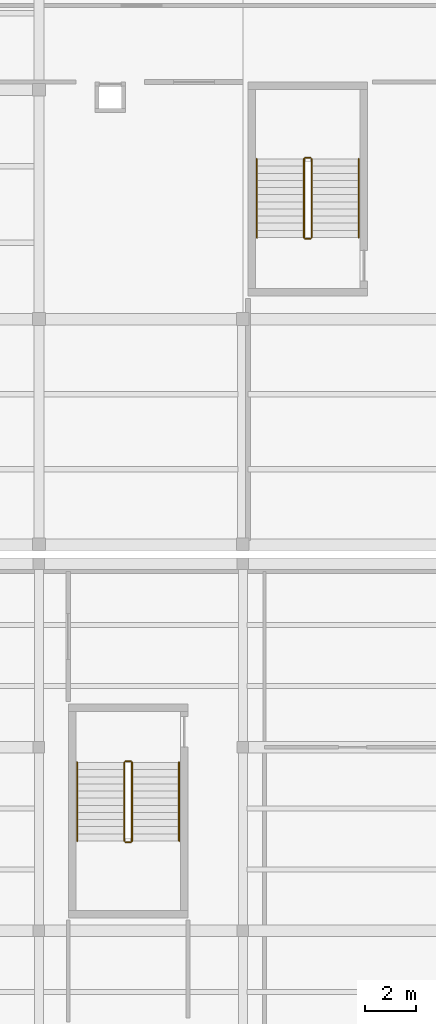
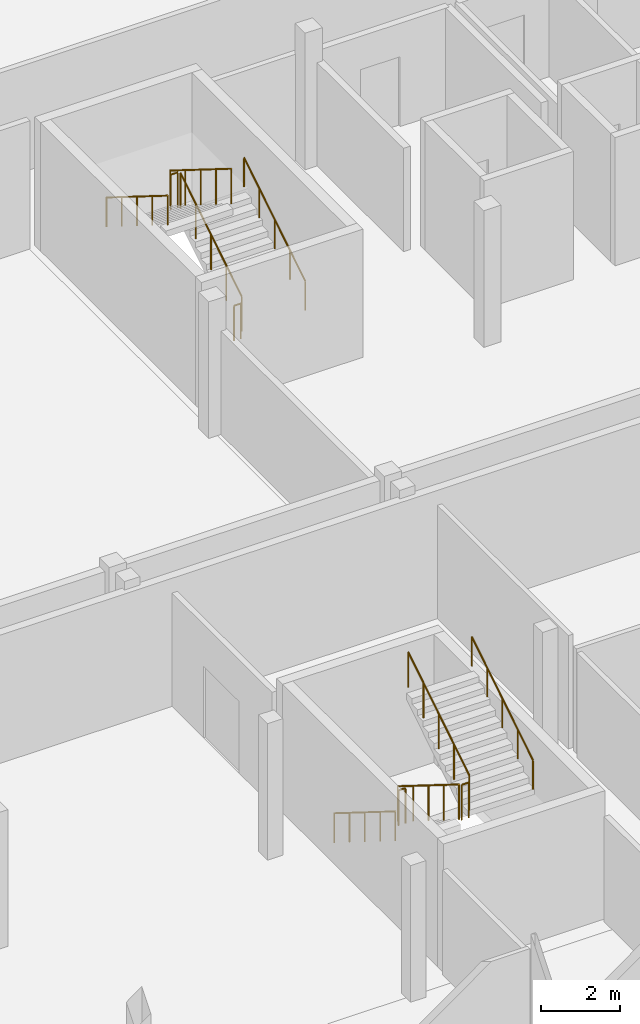
# One storey, part 180 of 182: 12 railings.
"""IFC4 building model written with IfcOpenShell, lengths in metres."""

from ifc_helpers import new_model, si_unit, direction, frame, origin, origin_2d, place, context, subcontext, project, spatial, circle, extrude, material, layer, layer_set, type_object, element, save


model = new_model("IFC4")

# Units and contexts
model_context = context("Model", 3, precision=1e-05, world=origin(), true_north=direction((0.0, 1.0)))
body_context = subcontext(model_context, "Body", "Model", "MODEL_VIEW")
ifc_project = project(units=[si_unit("LENGTHUNIT", "METRE"), si_unit("AREAUNIT", "SQUARE_METRE"), si_unit("VOLUMEUNIT", "CUBIC_METRE"), si_unit("PLANEANGLEUNIT", "RADIAN"), si_unit("MASSUNIT", "GRAM", prefix="KILO")], contexts=[model_context])

# Site, building, storey
site_placement = place(None, origin())
site = spatial("IfcSite", under=ifc_project, at=site_placement, CompositionType="ELEMENT")
building_placement = place(site_placement, origin())
building = spatial("IfcBuilding", under=site, at=building_placement, Name="Chiffa Square Polytechnic", CompositionType="ELEMENT")
storey_placement = place(building_placement, frame((0.0, 0.0, 9.60009765625)))
storey = spatial("IfcBuildingStorey", under=building, at=storey_placement, Name="L02", CompositionType="ELEMENT", Elevation=9.60009765625)

# Railings
ifc_material = material(Name="Steel S355", Category="steel")
ifc_layer_1 = layer(ifc_material, 0.050048828125, Name="Steel S355")
ifc_layer_set_1 = layer_set([ifc_layer_1], Name="Steel S355")
railing_type_1 = type_object("IfcRailingType", Name="RL-STAIR-GUARD", PredefinedType="GUARDRAIL", material=ifc_layer_set_1)
railing_1_placement = place(storey_placement, frame((26.699951171875, 107.0, 0.1748046875)))
element("IfcRailing", 1, at=railing_1_placement, inside=storey, type_object=railing_type_1, Name="L02 ST-V5A stair guard 1", PredefinedType="GUARDRAIL", context=body_context, shape_type="SweptSolid", body=[
    extrude(circle(Radius=0.02392578125, at=origin_2d()), frame((0.0, 0.0, 1.076171875), z_axis=(0.0, 0.847998304005, 0.529998940003), x_axis=(-1.0, 0.0, 0.0)), (0.0, 0.0, 1.0), 3.632080078125),
    extrude(circle(Radius=0.02099609375, at=origin_2d()), origin(), (0.0, 0.0, 1.0), 1.052001953125),
    extrude(circle(Radius=0.02099609375, at=origin_2d()), frame((0.0, 0.77001953125, 0.481201171875)), (0.0, 0.0, 1.0), 1.052001953125),
    extrude(circle(Radius=0.02099609375, at=origin_2d()), frame((0.0, 1.5400390625, 0.96240234375)), (0.0, 0.0, 1.0), 1.052001953125),
    extrude(circle(Radius=0.02099609375, at=origin_2d()), frame((0.0, 2.31005859375, 1.44384765625)), (0.0, 0.0, 1.0), 1.052001953125),
    extrude(circle(Radius=0.02099609375, at=origin_2d()), frame((0.0, 3.080078125, 1.925048828125)), (0.0, 0.0, 1.0), 1.052001953125),
])
railing_2_placement = place(storey_placement, frame((26.64990234375, 110.1298828125, 2.099853515625)))
element("IfcRailing", 2, at=railing_2_placement, inside=storey, type_object=railing_type_1, Name="L02 ST-V5A stair guard 2", PredefinedType="GUARDRAIL", context=body_context, shape_type="SweptSolid", body=[
    extrude(circle(Radius=0.02392578125, at=origin_2d()), frame((0.0, 0.0, 1.076171875), z_axis=(-1.0, 0.0, 0.0), x_axis=(0.0, -1.0, 0.0)), (0.0, 0.0, 1.0), 0.199951171875),
    extrude(circle(Radius=0.02099609375, at=origin_2d()), origin(), (0.0, 0.0, 1.0), 1.052001953125),
    extrude(circle(Radius=0.02099609375, at=origin_2d()), frame((-0.199951171875, 0.0, 0.0)), (0.0, 0.0, 1.0), 1.052001953125),
])
railing_3_placement = place(storey_placement, frame((26.39990234375, 110.080078125, 2.27490234375)))
element("IfcRailing", 3, at=railing_3_placement, inside=storey, type_object=railing_type_1, Name="L02 ST-V5A stair guard 3", PredefinedType="GUARDRAIL", context=body_context, shape_type="SweptSolid", body=[
    extrude(circle(Radius=0.02392578125, at=origin_2d()), frame((0.0, 0.0, 1.076171875), z_axis=(0.0, -0.847998304005, 0.529998940003), x_axis=(1.0, 0.0, 0.0)), (0.0, 0.0, 1.0), 3.632080078125),
    extrude(circle(Radius=0.02099609375, at=origin_2d()), origin(), (0.0, 0.0, 1.0), 1.052001953125),
    extrude(circle(Radius=0.02099609375, at=origin_2d()), frame((0.0, -0.77001953125, 0.481201171875)), (0.0, 0.0, 1.0), 1.052001953125),
    extrude(circle(Radius=0.02099609375, at=origin_2d()), frame((0.0, -1.5400390625, 0.96240234375)), (0.0, 0.0, 1.0), 1.052001953125),
    extrude(circle(Radius=0.02099609375, at=origin_2d()), frame((0.0, -2.31005859375, 1.44384765625)), (0.0, 0.0, 1.0), 1.052001953125),
    extrude(circle(Radius=0.02099609375, at=origin_2d()), frame((0.0, -3.080078125, 1.925048828125)), (0.0, 0.0, 1.0), 1.052001953125),
])
railing_4_placement = place(storey_placement, frame((26.64990234375, 106.949951171875, 0.0)))
element("IfcRailing", 4, at=railing_4_placement, inside=storey, type_object=railing_type_1, Name="L02 ST-V5A stair guard 4", PredefinedType="GUARDRAIL", context=body_context, shape_type="SweptSolid", body=[
    extrude(circle(Radius=0.02392578125, at=origin_2d()), frame((0.0, 0.0, 1.076171875), z_axis=(-1.0, 0.0, 0.0), x_axis=(0.0, -1.0, 0.0)), (0.0, 0.0, 1.0), 0.199951171875),
    extrude(circle(Radius=0.02099609375, at=origin_2d()), origin(), (0.0, 0.0, 1.0), 1.052001953125),
    extrude(circle(Radius=0.02099609375, at=origin_2d()), frame((-0.199951171875, 0.0, 0.0)), (0.0, 0.0, 1.0), 1.052001953125),
])
railing_5_placement = place(storey_placement, frame((19.35009765625, 86.39990234375, 0.1748046875)))
element("IfcRailing", 5, at=railing_5_placement, inside=storey, type_object=railing_type_1, Name="L02 ST-V6B stair guard 1", PredefinedType="GUARDRAIL", context=body_context, shape_type="SweptSolid", body=[
    extrude(circle(Radius=0.02392578125, at=origin_2d()), frame((0.0, 0.0, 1.076171875), z_axis=(0.0, -0.847979421464, 0.530029150871), x_axis=(1.0, 0.0, 0.0)), (0.0, 0.0, 1.0), 3.632080078125),
    extrude(circle(Radius=0.02099609375, at=origin_2d()), origin(), (0.0, 0.0, 1.0), 1.052001953125),
    extrude(circle(Radius=0.02099609375, at=origin_2d()), frame((0.0, -0.77001953125, 0.481201171875)), (0.0, 0.0, 1.0), 1.052001953125),
    extrude(circle(Radius=0.02099609375, at=origin_2d()), frame((0.0, -1.5400390625, 0.96240234375)), (0.0, 0.0, 1.0), 1.052001953125),
    extrude(circle(Radius=0.02099609375, at=origin_2d()), frame((0.0, -2.309814453125, 1.44384765625)), (0.0, 0.0, 1.0), 1.052001953125),
    extrude(circle(Radius=0.02099609375, at=origin_2d()), frame((0.0, -3.079833984375, 1.925048828125)), (0.0, 0.0, 1.0), 1.052001953125),
])
railing_6_placement = place(storey_placement, frame((19.39990234375, 83.27001953125, 2.099853515625)))
element("IfcRailing", 6, at=railing_6_placement, inside=storey, type_object=railing_type_1, Name="L02 ST-V6B stair guard 2", PredefinedType="GUARDRAIL", context=body_context, shape_type="SweptSolid", body=[
    extrude(circle(Radius=0.02392578125, at=origin_2d()), frame((0.0, 0.0, 1.076171875), z_axis=(1.0, 0.0, 0.0), x_axis=(0.0, 1.0, 0.0)), (0.0, 0.0, 1.0), 0.2001953125),
    extrude(circle(Radius=0.02099609375, at=origin_2d()), origin(), (0.0, 0.0, 1.0), 1.052001953125),
    extrude(circle(Radius=0.02099609375, at=origin_2d()), frame((0.2001953125, 0.0, 0.0)), (0.0, 0.0, 1.0), 1.052001953125),
])
railing_7_placement = place(storey_placement, frame((19.64990234375, 83.320068359375, 2.27490234375)))
element("IfcRailing", 7, at=railing_7_placement, inside=storey, type_object=railing_type_1, Name="L02 ST-V6B stair guard 3", PredefinedType="GUARDRAIL", context=body_context, shape_type="SweptSolid", body=[
    extrude(circle(Radius=0.02392578125, at=origin_2d()), frame((0.0, 0.0, 1.076171875), z_axis=(0.0, 0.847979421464, 0.530029150871), x_axis=(-1.0, 0.0, 0.0)), (0.0, 0.0, 1.0), 3.632080078125),
    extrude(circle(Radius=0.02099609375, at=origin_2d()), origin(), (0.0, 0.0, 1.0), 1.052001953125),
    extrude(circle(Radius=0.02099609375, at=origin_2d()), frame((0.0, 0.77001953125, 0.481201171875)), (0.0, 0.0, 1.0), 1.052001953125),
    extrude(circle(Radius=0.02099609375, at=origin_2d()), frame((0.0, 1.5400390625, 0.96240234375)), (0.0, 0.0, 1.0), 1.052001953125),
    extrude(circle(Radius=0.02099609375, at=origin_2d()), frame((0.0, 2.309814453125, 1.44384765625)), (0.0, 0.0, 1.0), 1.052001953125),
    extrude(circle(Radius=0.02099609375, at=origin_2d()), frame((0.0, 3.079833984375, 1.925048828125)), (0.0, 0.0, 1.0), 1.052001953125),
])
railing_8_placement = place(storey_placement, frame((19.39990234375, 86.449951171875, 0.0)))
element("IfcRailing", 8, at=railing_8_placement, inside=storey, type_object=railing_type_1, Name="L02 ST-V6B stair guard 4", PredefinedType="GUARDRAIL", context=body_context, shape_type="SweptSolid", body=[
    extrude(circle(Radius=0.02392578125, at=origin_2d()), frame((0.0, 0.0, 1.076171875), z_axis=(1.0, 0.0, 0.0), x_axis=(0.0, 1.0, 0.0)), (0.0, 0.0, 1.0), 0.2001953125),
    extrude(circle(Radius=0.02099609375, at=origin_2d()), origin(), (0.0, 0.0, 1.0), 1.052001953125),
    extrude(circle(Radius=0.02099609375, at=origin_2d()), frame((0.2001953125, 0.0, 0.0)), (0.0, 0.0, 1.0), 1.052001953125),
])
ifc_layer_2 = layer(ifc_material, 0.044921875, Name="Steel S355")
ifc_layer_set_2 = layer_set([ifc_layer_2], Name="Steel S355")
railing_type_2 = type_object("IfcRailingType", Name="RL-STAIR-HAND", PredefinedType="HANDRAIL", material=ifc_layer_set_2)
railing_9_placement = place(storey_placement, frame((28.550048828125, 107.0, 0.1748046875)))
element("IfcRailing", 9, at=railing_9_placement, inside=storey, type_object=railing_type_2, Name="L02 ST-V5A stair handrail 1", PredefinedType="HANDRAIL", context=body_context, shape_type="SweptSolid", body=[
    extrude(circle(Radius=0.02392578125, at=origin_2d()), frame((0.0, 0.0, 0.89599609375), z_axis=(0.0, 0.847998304005, 0.529998940003), x_axis=(-1.0, 0.0, 0.0)), (0.0, 0.0, 1.0), 3.632080078125),
    extrude(circle(Radius=0.02099609375, at=origin_2d()), origin(), (0.0, 0.0, 1.0), 0.871826171875),
    extrude(circle(Radius=0.02099609375, at=origin_2d()), frame((0.0, 0.77001953125, 0.481201171875)), (0.0, 0.0, 1.0), 0.871826171875),
    extrude(circle(Radius=0.02099609375, at=origin_2d()), frame((0.0, 1.5400390625, 0.96240234375)), (0.0, 0.0, 1.0), 0.871826171875),
    extrude(circle(Radius=0.02099609375, at=origin_2d()), frame((0.0, 2.31005859375, 1.44384765625)), (0.0, 0.0, 1.0), 0.871826171875),
    extrude(circle(Radius=0.02099609375, at=origin_2d()), frame((0.0, 3.080078125, 1.925048828125)), (0.0, 0.0, 1.0), 0.871826171875),
])
railing_10_placement = place(storey_placement, frame((24.550048828125, 110.080078125, 2.27490234375)))
element("IfcRailing", 10, at=railing_10_placement, inside=storey, type_object=railing_type_2, Name="L02 ST-V5A stair handrail 2", PredefinedType="HANDRAIL", context=body_context, shape_type="SweptSolid", body=[
    extrude(circle(Radius=0.02392578125, at=origin_2d()), frame((0.0, 0.0, 0.89599609375), z_axis=(0.0, -0.847998304005, 0.529998940003), x_axis=(1.0, 0.0, 0.0)), (0.0, 0.0, 1.0), 3.632080078125),
    extrude(circle(Radius=0.02099609375, at=origin_2d()), origin(), (0.0, 0.0, 1.0), 0.871826171875),
    extrude(circle(Radius=0.02099609375, at=origin_2d()), frame((0.0, -0.77001953125, 0.481201171875)), (0.0, 0.0, 1.0), 0.871826171875),
    extrude(circle(Radius=0.02099609375, at=origin_2d()), frame((0.0, -1.5400390625, 0.96240234375)), (0.0, 0.0, 1.0), 0.871826171875),
    extrude(circle(Radius=0.02099609375, at=origin_2d()), frame((0.0, -2.31005859375, 1.44384765625)), (0.0, 0.0, 1.0), 0.871826171875),
    extrude(circle(Radius=0.02099609375, at=origin_2d()), frame((0.0, -3.080078125, 1.925048828125)), (0.0, 0.0, 1.0), 0.871826171875),
])
railing_11_placement = place(storey_placement, frame((17.5, 86.39990234375, 0.1748046875)))
element("IfcRailing", 11, at=railing_11_placement, inside=storey, type_object=railing_type_2, Name="L02 ST-V6B stair handrail 1", PredefinedType="HANDRAIL", context=body_context, shape_type="SweptSolid", body=[
    extrude(circle(Radius=0.02392578125, at=origin_2d()), frame((0.0, 0.0, 0.89599609375), z_axis=(0.0, -0.847979421464, 0.530029150871), x_axis=(1.0, 0.0, 0.0)), (0.0, 0.0, 1.0), 3.632080078125),
    extrude(circle(Radius=0.02099609375, at=origin_2d()), origin(), (0.0, 0.0, 1.0), 0.871826171875),
    extrude(circle(Radius=0.02099609375, at=origin_2d()), frame((0.0, -0.77001953125, 0.481201171875)), (0.0, 0.0, 1.0), 0.871826171875),
    extrude(circle(Radius=0.02099609375, at=origin_2d()), frame((0.0, -1.5400390625, 0.96240234375)), (0.0, 0.0, 1.0), 0.871826171875),
    extrude(circle(Radius=0.02099609375, at=origin_2d()), frame((0.0, -2.309814453125, 1.44384765625)), (0.0, 0.0, 1.0), 0.871826171875),
    extrude(circle(Radius=0.02099609375, at=origin_2d()), frame((0.0, -3.079833984375, 1.925048828125)), (0.0, 0.0, 1.0), 0.871826171875),
])
railing_12_placement = place(storey_placement, frame((21.5, 83.320068359375, 2.27490234375)))
element("IfcRailing", 12, at=railing_12_placement, inside=storey, type_object=railing_type_2, Name="L02 ST-V6B stair handrail 2", PredefinedType="HANDRAIL", context=body_context, shape_type="SweptSolid", body=[
    extrude(circle(Radius=0.02392578125, at=origin_2d()), frame((0.0, 0.0, 0.89599609375), z_axis=(0.0, 0.847979421464, 0.530029150871), x_axis=(-1.0, 0.0, 0.0)), (0.0, 0.0, 1.0), 3.632080078125),
    extrude(circle(Radius=0.02099609375, at=origin_2d()), origin(), (0.0, 0.0, 1.0), 0.871826171875),
    extrude(circle(Radius=0.02099609375, at=origin_2d()), frame((0.0, 0.77001953125, 0.481201171875)), (0.0, 0.0, 1.0), 0.871826171875),
    extrude(circle(Radius=0.02099609375, at=origin_2d()), frame((0.0, 1.5400390625, 0.96240234375)), (0.0, 0.0, 1.0), 0.871826171875),
    extrude(circle(Radius=0.02099609375, at=origin_2d()), frame((0.0, 2.309814453125, 1.44384765625)), (0.0, 0.0, 1.0), 0.871826171875),
    extrude(circle(Radius=0.02099609375, at=origin_2d()), frame((0.0, 3.079833984375, 1.925048828125)), (0.0, 0.0, 1.0), 0.871826171875),
])

save(model, "model.ifc")
